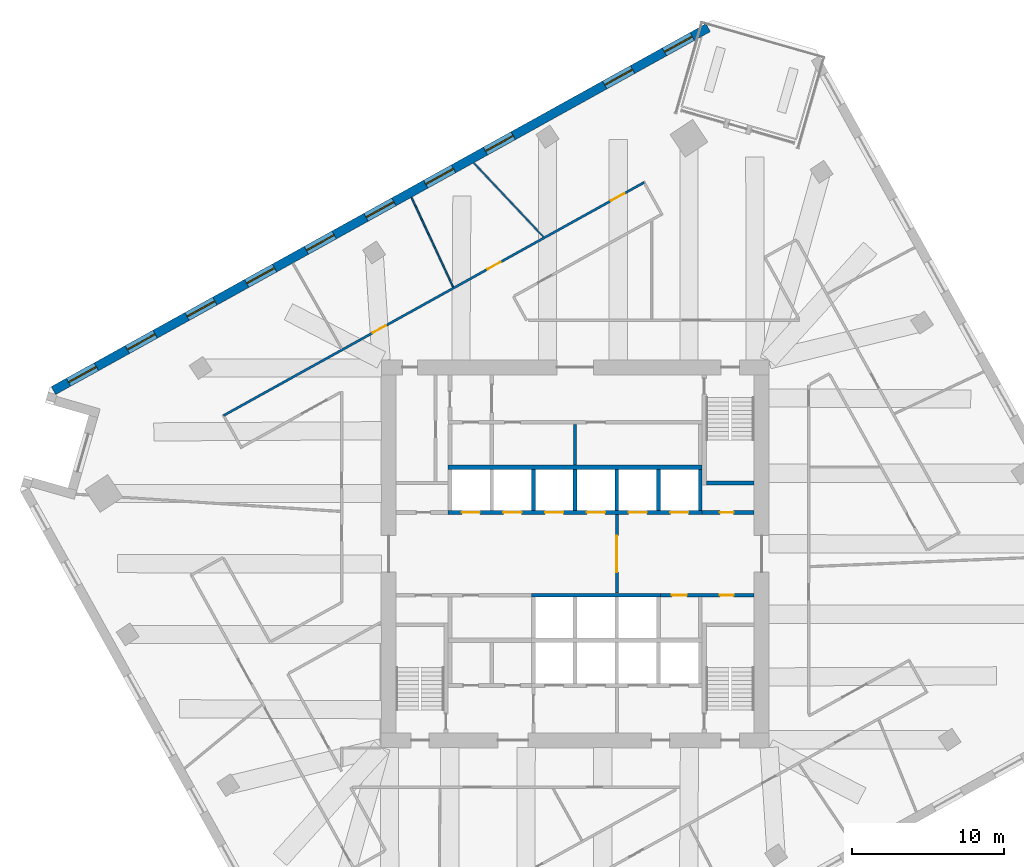
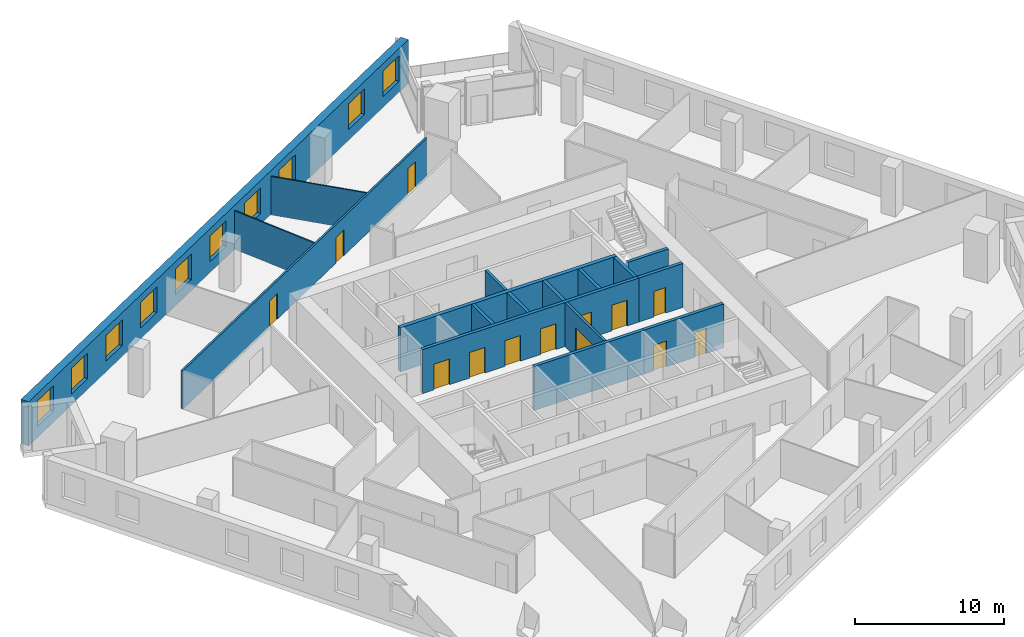
# One storey, part 7 of 11: 17 walls, 13 doors, 10 windows, 23 openings.
"""IFC4 building model written with IfcOpenShell, lengths in metres."""

from ifc_helpers import new_model, si_unit, direction, frame, frame_2d, origin, place, context, subcontext, project, spatial, rectangle, extrude, material, layer, layer_set, type_object, element, fill, save


model = new_model("IFC4")

# Units and contexts
model_context = context("Model", 3, precision=1e-05, world=origin(), true_north=direction((0.0, 1.0)))
body_context = subcontext(model_context, "Body", "Model", "MODEL_VIEW")
ifc_project = project(units=[si_unit("LENGTHUNIT", "METRE"), si_unit("AREAUNIT", "SQUARE_METRE"), si_unit("VOLUMEUNIT", "CUBIC_METRE"), si_unit("PLANEANGLEUNIT", "RADIAN"), si_unit("MASSUNIT", "GRAM", prefix="KILO")], contexts=[model_context])

# Site, building, storey
site_placement = place(None, origin())
site = spatial("IfcSite", under=ifc_project, at=site_placement, CompositionType="ELEMENT")
building_placement = place(site_placement, origin())
building = spatial("IfcBuilding", under=site, at=building_placement, Name="Dilmun Exchange Tower", CompositionType="ELEMENT")
storey_placement = place(building_placement, frame((0.0, 0.0, 135.699951171875)))
storey = spatial("IfcBuildingStorey", under=building, at=storey_placement, Name="L31", CompositionType="ELEMENT", Elevation=135.699951171875)

# Wall, opening, door
ifc_material_1 = material(Name="Concrete C40/50", Category="concrete")
ifc_layer_1 = layer(ifc_material_1, 0.199951171875)
ifc_layer_set_1 = layer_set([ifc_layer_1], Name="Concrete C40/50")
wall_type_1 = type_object("IfcWallType", Name="Core partition wall 200", PredefinedType="PARTITIONING", material=ifc_layer_set_1)
wall_1_placement = place(storey_placement, frame((2.75, -2.594970703125, 0.0), z_axis=(0.0, 0.0, 1.0), x_axis=(0.0, 1.0, 0.0)))
wall_1 = element("IfcWall", 1, at=wall_1_placement, inside=storey, type_object=wall_type_1, Name="L31 core partition wall 11", PredefinedType="PARTITIONING", context=body_context, shape_type="SweptSolid", body=[
    extrude(rectangle(XDim=5.18994140625, YDim=0.199951171875, at=frame_2d((2.594970703125, 0.0))), origin(), (0.0, 0.0, 1.0), 3.60009765625),
])
opening_1_placement = place(wall_1_placement, frame((1.39501953125, 0.0, 0.0)))
opening_1 = element("IfcOpeningElement", 2, at=opening_1_placement, cuts=wall_1, Name="Opening CD1", PredefinedType="OPENING", context=body_context, shape_type="SweptSolid", body=[
    extrude(rectangle(XDim=2.39990234375, YDim=2.39990234375, at=frame_2d((1.199951171875, 1.199951171875))), frame((0.0, 0.10986328125, 0.0), z_axis=(0.0, -1.0, 0.0), x_axis=(1.0, 0.0, 0.0)), (0.0, 0.0, 1.0), 0.219970703125),
])
ifc_material_2 = material(Name="Fire-rated steel door set", Category="steel")
door_type_1 = type_object("IfcDoorType", Name="Core lobby door 2400x2400", OperationType="DOUBLE_DOOR_DOUBLE_SWING", PredefinedType="DOOR", material=ifc_material_2)
door_1_placement = place(opening_1_placement, origin())
door_1 = element("IfcDoor", 3, at=door_1_placement, inside=storey, type_object=door_type_1, Name="L31 door Lift lobby east", OperationType="DOUBLE_DOOR_DOUBLE_SWING", OverallHeight=2.39990234375, OverallWidth=2.39990234375, PredefinedType="DOOR", context=body_context, shape_type="SweptSolid", body=[
    extrude(rectangle(XDim=2.39990234375, YDim=2.39990234375, at=frame_2d((1.199951171875, 1.199951171875))), frame((0.0, 0.02490234375, 0.0), z_axis=(0.0, -1.0, 0.0), x_axis=(1.0, 0.0, 0.0)), (0.0, 0.0, 1.0), 0.050048828125),
])
fill(opening_1, door_1)

# Wall
wall_2_placement = place(storey_placement, frame((0.0, 5.85498046875, 0.0), z_axis=(0.0, 0.0, 1.0), x_axis=(0.0, 1.0, 0.0)))
element("IfcWall", 4, at=wall_2_placement, inside=storey, type_object=wall_type_1, Name="L31 core partition wall 18", PredefinedType="PARTITIONING", context=body_context, shape_type="SweptSolid", body=[
    extrude(rectangle(XDim=2.68994140625, YDim=0.199951171875, at=frame_2d((1.344970703125, 0.0))), origin(), (0.0, 0.0, 1.0), 3.60009765625),
])

# Wall, openings, doors
ifc_layer_2 = layer(ifc_material_1, 0.25)
ifc_layer_set_2 = layer_set([ifc_layer_2], Name="Concrete C40/50")
wall_type_2 = type_object("IfcWallType", Name="Core partition wall 250", PredefinedType="PARTITIONING", material=ifc_layer_set_2)
wall_3_placement = place(storey_placement, frame((5.6298828125, -2.72509765625, 0.0), z_axis=(0.0, 0.0, 1.0), x_axis=(1.0, 0.0, 0.0)))
wall_3 = element("IfcWall", 5, at=wall_3_placement, inside=storey, type_object=wall_type_2, Name="L31 core partition wall 10", PredefinedType="PARTITIONING", context=body_context, shape_type="SweptSolid", body=[
    extrude(rectangle(XDim=6.1650390625, YDim=0.25, at=frame_2d((3.08251953125, 0.0))), origin(), (0.0, 0.0, 1.0), 3.60009765625),
])
opening_2_placement = place(wall_3_placement, frame((0.7451171875, 0.0, 0.0)))
opening_2 = element("IfcOpeningElement", 6, at=opening_2_placement, cuts=wall_3, Name="Opening CD4", PredefinedType="OPENING", context=body_context, shape_type="SweptSolid", body=[
    extrude(rectangle(XDim=1.0, YDim=2.10009765625, at=frame_2d((0.5, 1.050048828125))), frame((0.0, 0.135009765625, 0.0), z_axis=(0.0, -1.0, 0.0), x_axis=(1.0, 0.0, 0.0)), (0.0, 0.0, 1.0), 0.27001953125),
])
opening_3_placement = place(wall_3_placement, frame((3.919921875, 0.0, 0.0)))
opening_3 = element("IfcOpeningElement", 7, at=opening_3_placement, cuts=wall_3, Name="Opening CD6", PredefinedType="OPENING", context=body_context, shape_type="SweptSolid", body=[
    extrude(rectangle(XDim=0.89990234375, YDim=2.10009765625, at=frame_2d((0.449951171875, 1.050048828125))), frame((0.0, 0.135009765625, 0.0), z_axis=(0.0, -1.0, 0.0), x_axis=(1.0, 0.0, 0.0)), (0.0, 0.0, 1.0), 0.27001953125),
])
door_type_2 = type_object("IfcDoorType", Name="Core room door 1000x2100", OperationType="SINGLE_SWING_LEFT", PredefinedType="DOOR", material=ifc_material_2)
door_2_placement = place(opening_2_placement, origin())
door_2 = element("IfcDoor", 8, at=door_2_placement, inside=storey, type_object=door_type_2, Name="L31 door Cleaners' store", OperationType="SINGLE_SWING_RIGHT", OverallHeight=2.10009765625, OverallWidth=1.0, PredefinedType="DOOR", context=body_context, shape_type="SweptSolid", body=[
    extrude(rectangle(XDim=1.0, YDim=2.10009765625, at=frame_2d((0.5, 1.050048828125))), frame((0.0, 0.02490234375, 0.0), z_axis=(0.0, -1.0, 0.0), x_axis=(1.0, 0.0, 0.0)), (0.0, 0.0, 1.0), 0.050048828125),
])
fill(opening_2, door_2)
door_type_3 = type_object("IfcDoorType", Name="Core room door 900x2100", OperationType="SINGLE_SWING_LEFT", PredefinedType="DOOR", material=ifc_material_2)
door_3_placement = place(opening_3_placement, origin())
door_3 = element("IfcDoor", 9, at=door_3_placement, inside=storey, type_object=door_type_3, Name="L31 door Comms riser", OperationType="SINGLE_SWING_RIGHT", OverallHeight=2.10009765625, OverallWidth=0.89990234375, PredefinedType="DOOR", context=body_context, shape_type="SweptSolid", body=[
    extrude(rectangle(XDim=0.89990234375, YDim=2.10009765625, at=frame_2d((0.449951171875, 1.050048828125))), frame((0.0, 0.02490234375, 0.0), z_axis=(0.0, -1.0, 0.0), x_axis=(1.0, 0.0, 0.0)), (0.0, 0.0, 1.0), 0.050048828125),
])
fill(opening_3, door_3)

# Wall, opening, door
wall_4_placement = place(storey_placement, frame((8.3798828125, 2.72509765625, 0.0), z_axis=(0.0, 0.0, 1.0), x_axis=(1.0, 0.0, 0.0)))
wall_4 = element("IfcWall", 10, at=wall_4_placement, inside=storey, type_object=wall_type_2, Name="L31 core partition wall 13", PredefinedType="PARTITIONING", context=body_context, shape_type="SweptSolid", body=[
    extrude(rectangle(XDim=3.4150390625, YDim=0.25, at=frame_2d((1.70751953125, 0.0))), origin(), (0.0, 0.0, 1.0), 3.60009765625),
])
opening_4_placement = place(wall_4_placement, frame((1.169921875, 0.0, 0.0)))
opening_4 = element("IfcOpeningElement", 11, at=opening_4_placement, cuts=wall_4, Name="Opening CD6", PredefinedType="OPENING", context=body_context, shape_type="SweptSolid", body=[
    extrude(rectangle(XDim=0.89990234375, YDim=2.10009765625, at=frame_2d((0.449951171875, 1.050048828125))), frame((0.0, 0.135009765625, 0.0), z_axis=(0.0, -1.0, 0.0), x_axis=(1.0, 0.0, 0.0)), (0.0, 0.0, 1.0), 0.27001953125),
])
door_4_placement = place(opening_4_placement, origin())
door_4 = element("IfcDoor", 12, at=door_4_placement, inside=storey, type_object=door_type_3, Name="L31 door Electrical riser", OperationType="SINGLE_SWING_RIGHT", OverallHeight=2.10009765625, OverallWidth=0.89990234375, PredefinedType="DOOR", context=body_context, shape_type="SweptSolid", body=[
    extrude(rectangle(XDim=0.89990234375, YDim=2.10009765625, at=frame_2d((0.449951171875, 1.050048828125))), frame((0.0, 0.02490234375, 0.0), z_axis=(0.0, -1.0, 0.0), x_axis=(1.0, 0.0, 0.0)), (0.0, 0.0, 1.0), 0.050048828125),
])
fill(opening_4, door_4)

# Wall, openings, doors
ifc_material_3 = material(Name="Corridor wall 150")
ifc_layer_3 = layer(ifc_material_3, 0.14990234375)
ifc_layer_set_3 = layer_set([ifc_layer_3], Name="Corridor wall 150")
wall_type_3 = type_object("IfcWallType", Name="Corridor wall 150", PredefinedType="PARTITIONING", material=ifc_layer_set_3)
wall_5_placement = place(storey_placement, frame((-23.18701171875, 9.123046875, 0.0), z_axis=(0.0, 0.0, 1.0), x_axis=(0.874618419846, 0.484811942578, 0.0)))
wall_5 = element("IfcWall", 13, at=wall_5_placement, inside=storey, type_object=wall_type_3, Name="Corridor wall", PredefinedType="PARTITIONING", context=body_context, shape_type="SweptSolid", body=[
    extrude(rectangle(XDim=31.71337890625, YDim=0.14990234375, at=frame_2d((15.856689453125, 0.0))), origin(), (0.0, 0.0, 1.0), 3.150146484375),
])
opening_5_placement = place(wall_5_placement, frame((11.25244140625, 0.0, 0.0)))
opening_5 = element("IfcOpeningElement", 14, at=opening_5_placement, cuts=wall_5, Name="Opening TF31-D08", PredefinedType="OPENING", context=body_context, shape_type="SweptSolid", body=[
    extrude(rectangle(XDim=1.0, YDim=2.10009765625, at=frame_2d((0.5, 1.050048828125))), frame((0.0, 0.0849609375, 0.0), z_axis=(0.0, -1.0, 0.0), x_axis=(1.0, 0.0, 0.0)), (0.0, 0.0, 1.0), 0.169921875),
])
opening_6_placement = place(wall_5_placement, frame((19.8955078125, 0.0, 0.0)))
opening_6 = element("IfcOpeningElement", 15, at=opening_6_placement, cuts=wall_5, Name="Opening TF31-D09", PredefinedType="OPENING", context=body_context, shape_type="SweptSolid", body=[
    extrude(rectangle(XDim=1.0, YDim=2.10009765625, at=frame_2d((0.5, 1.050048828125))), frame((0.0, 0.0849609375, 0.0), z_axis=(0.0, -1.0, 0.0), x_axis=(1.0, 0.0, 0.0)), (0.0, 0.0, 1.0), 0.169921875),
])
opening_7_placement = place(wall_5_placement, frame((29.222900390625, 0.0, 0.0)))
opening_7 = element("IfcOpeningElement", 16, at=opening_7_placement, cuts=wall_5, Name="Opening TF31-D16", PredefinedType="OPENING", context=body_context, shape_type="SweptSolid", body=[
    extrude(rectangle(XDim=1.0, YDim=2.10009765625, at=frame_2d((0.5, 1.050048828125))), frame((0.0, 0.0849609375, 0.0), z_axis=(0.0, -1.0, 0.0), x_axis=(1.0, 0.0, 0.0)), (0.0, 0.0, 1.0), 0.169921875),
])
ifc_material_4 = material(Name="Fire door 1000 x 2100")
door_type_4 = type_object("IfcDoorType", Name="Fire door 1000 x 2100", OperationType="NOTDEFINED", PredefinedType="DOOR", material=ifc_material_4)
door_5_placement = place(opening_5_placement, origin())
door_5 = element("IfcDoor", 17, at=door_5_placement, inside=storey, type_object=door_type_4, Name="Door TF31-D08", OperationType="SINGLE_SWING_RIGHT", OverallHeight=2.10009765625, OverallWidth=1.0, PredefinedType="DOOR", context=body_context, shape_type="SweptSolid", body=[
    extrude(rectangle(XDim=1.0, YDim=2.10009765625, at=frame_2d((0.5, 1.050048828125))), frame((0.0, 0.02490234375, 0.0), z_axis=(0.0, -1.0, 0.0), x_axis=(1.0, 0.0, 0.0)), (0.0, 0.0, 1.0), 0.050048828125),
])
fill(opening_5, door_5)
door_6_placement = place(opening_6_placement, origin())
door_6 = element("IfcDoor", 18, at=door_6_placement, inside=storey, type_object=door_type_4, Name="Door TF31-D09", OperationType="SINGLE_SWING_LEFT", OverallHeight=2.10009765625, OverallWidth=1.0, PredefinedType="DOOR", context=body_context, shape_type="SweptSolid", body=[
    extrude(rectangle(XDim=1.0, YDim=2.10009765625, at=frame_2d((0.5, 1.050048828125))), frame((0.0, 0.02490234375, 0.0), z_axis=(0.0, -1.0, 0.0), x_axis=(1.0, 0.0, 0.0)), (0.0, 0.0, 1.0), 0.050048828125),
])
fill(opening_6, door_6)
door_7_placement = place(opening_7_placement, origin())
door_7 = element("IfcDoor", 19, at=door_7_placement, inside=storey, type_object=door_type_4, Name="Door TF31-D16", OperationType="SINGLE_SWING_LEFT", OverallHeight=2.10009765625, OverallWidth=1.0, PredefinedType="DOOR", context=body_context, shape_type="SweptSolid", body=[
    extrude(rectangle(XDim=1.0, YDim=2.10009765625, at=frame_2d((0.5, 1.050048828125))), frame((0.0, 0.02490234375, 0.0), z_axis=(0.0, -1.0, 0.0), x_axis=(1.0, 0.0, 0.0)), (0.0, 0.0, 1.0), 0.050048828125),
])
fill(opening_7, door_7)

# Wall
ifc_layer_4 = layer(ifc_material_1, 0.300048828125)
ifc_layer_set_4 = layer_set([ifc_layer_4], Name="Concrete C40/50")
wall_type_4 = type_object("IfcWallType", Name="Lift shaft shared wall 300", PredefinedType="SOLIDWALL", material=ifc_layer_set_4)
wall_6_placement = place(storey_placement, frame((-8.375, 5.699951171875, 0.0), z_axis=(0.0, 0.0, 1.0), x_axis=(1.0, 0.0, 0.0)))
element("IfcWall", 20, at=wall_6_placement, inside=storey, type_object=wall_type_4, Name="L31 lift shaft rear wall N", PredefinedType="SOLIDWALL", context=body_context, shape_type="SweptSolid", body=[
    extrude(rectangle(XDim=16.75, YDim=0.300048828125, at=frame_2d((8.375, 0.0))), origin(), (0.0, 0.0, 1.0), 3.60009765625),
])

# Wall, openings, doors
ifc_layer_5 = layer(ifc_material_1, 0.25)
ifc_layer_set_5 = layer_set([ifc_layer_5], Name="Concrete C40/50")
wall_type_5 = type_object("IfcWallType", Name="Lift shaft wall 250", PredefinedType="SOLIDWALL", material=ifc_layer_set_5)
wall_7_placement = place(storey_placement, frame((-8.375, 2.72509765625, 0.0), z_axis=(0.0, 0.0, 1.0), x_axis=(1.0, 0.0, 0.0)))
wall_7 = element("IfcWall", 21, at=wall_7_placement, inside=storey, type_object=wall_type_5, Name="L31 lift shaft front wall N1", PredefinedType="SOLIDWALL", context=body_context, shape_type="SweptSolid", body=[
    extrude(rectangle(XDim=16.75, YDim=0.25, at=frame_2d((8.375, 0.0))), origin(), (0.0, 0.0, 1.0), 3.60009765625),
])
opening_8_placement = place(wall_7_placement, frame((0.89990234375, 0.0, 0.0)))
opening_8 = element("IfcOpeningElement", 22, at=opening_8_placement, cuts=wall_7, Name="Opening LD", PredefinedType="OPENING", context=body_context, shape_type="SweptSolid", body=[
    extrude(rectangle(XDim=1.199951171875, YDim=2.10009765625, at=frame_2d((0.60009765625, 1.050048828125))), frame((0.0, 0.135009765625, 0.0), z_axis=(0.0, -1.0, 0.0), x_axis=(1.0, 0.0, 0.0)), (0.0, 0.0, 1.0), 0.27001953125),
])
opening_9_placement = place(wall_7_placement, frame((3.64990234375, 0.0, 0.0)))
opening_9 = element("IfcOpeningElement", 23, at=opening_9_placement, cuts=wall_7, Name="Opening LD", PredefinedType="OPENING", context=body_context, shape_type="SweptSolid", body=[
    extrude(rectangle(XDim=1.199951171875, YDim=2.10009765625, at=frame_2d((0.60009765625, 1.050048828125))), frame((0.0, 0.135009765625, 0.0), z_axis=(0.0, -1.0, 0.0), x_axis=(1.0, 0.0, 0.0)), (0.0, 0.0, 1.0), 0.27001953125),
])
opening_10_placement = place(wall_7_placement, frame((6.39990234375, 0.0, 0.0)))
opening_10 = element("IfcOpeningElement", 24, at=opening_10_placement, cuts=wall_7, Name="Opening LD", PredefinedType="OPENING", context=body_context, shape_type="SweptSolid", body=[
    extrude(rectangle(XDim=1.199951171875, YDim=2.10009765625, at=frame_2d((0.60009765625, 1.050048828125))), frame((0.0, 0.135009765625, 0.0), z_axis=(0.0, -1.0, 0.0), x_axis=(1.0, 0.0, 0.0)), (0.0, 0.0, 1.0), 0.27001953125),
])
opening_11_placement = place(wall_7_placement, frame((9.14990234375, 0.0, 0.0)))
opening_11 = element("IfcOpeningElement", 25, at=opening_11_placement, cuts=wall_7, Name="Opening LD", PredefinedType="OPENING", context=body_context, shape_type="SweptSolid", body=[
    extrude(rectangle(XDim=1.199951171875, YDim=2.10009765625, at=frame_2d((0.60009765625, 1.050048828125))), frame((0.0, 0.135009765625, 0.0), z_axis=(0.0, -1.0, 0.0), x_axis=(1.0, 0.0, 0.0)), (0.0, 0.0, 1.0), 0.27001953125),
])
opening_12_placement = place(wall_7_placement, frame((11.89990234375, 0.0, 0.0)))
opening_12 = element("IfcOpeningElement", 26, at=opening_12_placement, cuts=wall_7, Name="Opening LD", PredefinedType="OPENING", context=body_context, shape_type="SweptSolid", body=[
    extrude(rectangle(XDim=1.199951171875, YDim=2.10009765625, at=frame_2d((0.60009765625, 1.050048828125))), frame((0.0, 0.135009765625, 0.0), z_axis=(0.0, -1.0, 0.0), x_axis=(1.0, 0.0, 0.0)), (0.0, 0.0, 1.0), 0.27001953125),
])
opening_13_placement = place(wall_7_placement, frame((14.64990234375, 0.0, 0.0)))
opening_13 = element("IfcOpeningElement", 27, at=opening_13_placement, cuts=wall_7, Name="Opening LD", PredefinedType="OPENING", context=body_context, shape_type="SweptSolid", body=[
    extrude(rectangle(XDim=1.199951171875, YDim=2.10009765625, at=frame_2d((0.60009765625, 1.050048828125))), frame((0.0, 0.135009765625, 0.0), z_axis=(0.0, -1.0, 0.0), x_axis=(1.0, 0.0, 0.0)), (0.0, 0.0, 1.0), 0.27001953125),
])
door_type_5 = type_object("IfcDoorType", Name="Lift landing door 1200x2100", OperationType="DOUBLE_DOOR_SLIDING", PredefinedType="DOOR", material=ifc_material_2)
door_8_placement = place(opening_8_placement, origin())
door_8 = element("IfcDoor", 28, at=door_8_placement, inside=storey, type_object=door_type_5, Name="L31 landing door MR1", OperationType="DOUBLE_DOOR_SLIDING", OverallHeight=2.10009765625, OverallWidth=1.199951171875, PredefinedType="DOOR", context=body_context, shape_type="SweptSolid", body=[
    extrude(rectangle(XDim=1.199951171875, YDim=2.10009765625, at=frame_2d((0.60009765625, 1.050048828125))), frame((0.0, 0.02490234375, 0.0), z_axis=(0.0, -1.0, 0.0), x_axis=(1.0, 0.0, 0.0)), (0.0, 0.0, 1.0), 0.050048828125),
])
fill(opening_8, door_8)
door_9_placement = place(opening_9_placement, origin())
door_9 = element("IfcDoor", 29, at=door_9_placement, inside=storey, type_object=door_type_5, Name="L31 landing door MR2", OperationType="DOUBLE_DOOR_SLIDING", OverallHeight=2.10009765625, OverallWidth=1.199951171875, PredefinedType="DOOR", context=body_context, shape_type="SweptSolid", body=[
    extrude(rectangle(XDim=1.199951171875, YDim=2.10009765625, at=frame_2d((0.60009765625, 1.050048828125))), frame((0.0, 0.02490234375, 0.0), z_axis=(0.0, -1.0, 0.0), x_axis=(1.0, 0.0, 0.0)), (0.0, 0.0, 1.0), 0.050048828125),
])
fill(opening_9, door_9)
door_10_placement = place(opening_10_placement, origin())
door_10 = element("IfcDoor", 30, at=door_10_placement, inside=storey, type_object=door_type_5, Name="L31 landing door MR3", OperationType="DOUBLE_DOOR_SLIDING", OverallHeight=2.10009765625, OverallWidth=1.199951171875, PredefinedType="DOOR", context=body_context, shape_type="SweptSolid", body=[
    extrude(rectangle(XDim=1.199951171875, YDim=2.10009765625, at=frame_2d((0.60009765625, 1.050048828125))), frame((0.0, 0.02490234375, 0.0), z_axis=(0.0, -1.0, 0.0), x_axis=(1.0, 0.0, 0.0)), (0.0, 0.0, 1.0), 0.050048828125),
])
fill(opening_10, door_10)
door_11_placement = place(opening_11_placement, origin())
door_11 = element("IfcDoor", 31, at=door_11_placement, inside=storey, type_object=door_type_5, Name="L31 landing door MR4", OperationType="DOUBLE_DOOR_SLIDING", OverallHeight=2.10009765625, OverallWidth=1.199951171875, PredefinedType="DOOR", context=body_context, shape_type="SweptSolid", body=[
    extrude(rectangle(XDim=1.199951171875, YDim=2.10009765625, at=frame_2d((0.60009765625, 1.050048828125))), frame((0.0, 0.02490234375, 0.0), z_axis=(0.0, -1.0, 0.0), x_axis=(1.0, 0.0, 0.0)), (0.0, 0.0, 1.0), 0.050048828125),
])
fill(opening_11, door_11)
door_12_placement = place(opening_12_placement, origin())
door_12 = element("IfcDoor", 32, at=door_12_placement, inside=storey, type_object=door_type_5, Name="L31 landing door MR5", OperationType="DOUBLE_DOOR_SLIDING", OverallHeight=2.10009765625, OverallWidth=1.199951171875, PredefinedType="DOOR", context=body_context, shape_type="SweptSolid", body=[
    extrude(rectangle(XDim=1.199951171875, YDim=2.10009765625, at=frame_2d((0.60009765625, 1.050048828125))), frame((0.0, 0.02490234375, 0.0), z_axis=(0.0, -1.0, 0.0), x_axis=(1.0, 0.0, 0.0)), (0.0, 0.0, 1.0), 0.050048828125),
])
fill(opening_12, door_12)
door_13_placement = place(opening_13_placement, origin())
door_13 = element("IfcDoor", 33, at=door_13_placement, inside=storey, type_object=door_type_5, Name="L31 landing door MR6", OperationType="DOUBLE_DOOR_SLIDING", OverallHeight=2.10009765625, OverallWidth=1.199951171875, PredefinedType="DOOR", context=body_context, shape_type="SweptSolid", body=[
    extrude(rectangle(XDim=1.199951171875, YDim=2.10009765625, at=frame_2d((0.60009765625, 1.050048828125))), frame((0.0, 0.02490234375, 0.0), z_axis=(0.0, -1.0, 0.0), x_axis=(1.0, 0.0, 0.0)), (0.0, 0.0, 1.0), 0.050048828125),
])
fill(opening_13, door_13)

# Walls
for number, where, z_axis, x_axis, name in (
    (34, (-2.75, 2.85009765625, 0.0), (0.0, 0.0, 1.0), (0.0, 1.0, 0.0), "L31 lift shaft divider N12"),
    (35, (0.0, 2.85009765625, 0.0), (0.0, 0.0, 1.0), (0.0, 1.0, 0.0), "L31 lift shaft divider N13"),
    (36, (2.75, 2.85009765625, 0.0), (0.0, 0.0, 1.0), (0.0, 1.0, 0.0), "L31 lift shaft divider N14"),
    (37, (5.5, 2.85009765625, 0.0), (0.0, 0.0, 1.0), (0.0, 1.0, 0.0), "L31 lift shaft divider N15"),
    (38, (8.25, 2.85009765625, 0.0), (0.0, 0.0, 1.0), (0.0, 1.0, 0.0), "L31 lift shaft divider N16"),
):
    element("IfcWall", number, at=place(storey_placement, frame(where, z_axis=z_axis, x_axis=x_axis)), inside=storey, type_object=wall_type_5, Name=name, PredefinedType="SOLIDWALL", context=body_context, shape_type="SweptSolid", body=[
        extrude(rectangle(XDim=2.699951171875, YDim=0.25, at=frame_2d((1.35009765625, 0.0))), origin(), (0.0, 0.0, 1.0), 3.60009765625),
    ])
wall_8_placement = place(storey_placement, frame((-2.875, -2.72509765625, 0.0), z_axis=(0.0, 0.0, 1.0), x_axis=(1.0, 0.0, 0.0)))
element("IfcWall", 39, at=wall_8_placement, inside=storey, type_object=wall_type_5, Name="L31 lift shaft front wall S1", PredefinedType="SOLIDWALL", context=body_context, shape_type="SweptSolid", body=[
    extrude(rectangle(XDim=8.5, YDim=0.25, at=frame_2d((4.25, 0.0))), origin(), (0.0, 0.0, 1.0), 3.60009765625),
])
ifc_material_5 = material(Name="Partition 100")
ifc_layer_6 = layer(ifc_material_5, 0.10009765625)
ifc_layer_set_6 = layer_set([ifc_layer_6], Name="Partition 100")
wall_type_6 = type_object("IfcWallType", Name="Partition 100", PredefinedType="PARTITIONING", material=ifc_layer_set_6)
wall_9_placement = place(storey_placement, frame((-10.794677734375, 23.5126953125, 0.0), z_axis=(0.0, 0.0, 1.0), x_axis=(0.42134027537, -0.906902625617, 0.0)))
element("IfcWall", 40, at=wall_9_placement, inside=storey, type_object=wall_type_6, Name="Partition", PredefinedType="PARTITIONING", context=body_context, shape_type="SweptSolid", body=[
    extrude(rectangle(XDim=6.515869140625, YDim=0.10009765625, at=frame_2d((3.2578125, 0.0))), origin(), (0.0, 0.0, 1.0), 3.150146484375),
])
wall_10_placement = place(storey_placement, frame((-6.690673828125, 25.78759765625, 0.0), z_axis=(0.0, 0.0, 1.0), x_axis=(0.685723912774, -0.727861741988, 0.0)))
element("IfcWall", 41, at=wall_10_placement, inside=storey, type_object=wall_type_6, Name="Partition", PredefinedType="PARTITIONING", context=body_context, shape_type="SweptSolid", body=[
    extrude(rectangle(XDim=6.69775390625, YDim=0.10009765625, at=frame_2d((3.348876953125, 0.0))), origin(), (0.0, 0.0, 1.0), 3.150146484375),
])

# Wall, openings, windows
ifc_material_6 = material(Name="Precast concrete C50/60", Category="concrete")
ifc_layer_7 = layer(ifc_material_6, 0.60009765625)
ifc_layer_set_7 = layer_set([ifc_layer_7], Name="Precast concrete C50/60")
wall_type_7 = type_object("IfcWallType", Name="Precast stone-clad wall 600", PredefinedType="STANDARD", material=ifc_layer_set_7)
wall_11_placement = place(storey_placement, frame((8.774658203125, 34.705322265625, 0.0), z_axis=(0.0, 0.0, 1.0), x_axis=(-0.874620778241, -0.484807687922, 0.0)))
wall_11 = element("IfcWall", 42, at=wall_11_placement, inside=storey, type_object=wall_type_7, Name="Facade wall L31-03", PredefinedType="STANDARD", context=body_context, shape_type="SweptSolid", body=[
    extrude(rectangle(XDim=49.375732421875, YDim=0.60009765625, at=frame_2d((24.68798828125, 0.0))), origin(), (0.0, 0.0, 1.0), 3.60009765625),
])
opening_14_placement = place(wall_11_placement, frame((1.199951171875, 0.0, 0.89990234375)))
opening_14 = element("IfcOpeningElement", 43, at=opening_14_placement, cuts=wall_11, Name="Opening W210-210", PredefinedType="OPENING", context=body_context, shape_type="SweptSolid", body=[
    extrude(rectangle(XDim=2.10009765625, YDim=2.10009765625, at=frame_2d((1.050048828125, 1.050048828125))), frame((0.0, 0.31005859375, 0.0), z_axis=(0.0, -1.0, 0.0), x_axis=(1.0, 0.0, 0.0)), (0.0, 0.0, 1.0), 0.6201171875),
])
opening_15_placement = place(wall_11_placement, frame((5.699951171875, 0.0, 0.89990234375)))
opening_15 = element("IfcOpeningElement", 44, at=opening_15_placement, cuts=wall_11, Name="Opening W210-210", PredefinedType="OPENING", context=body_context, shape_type="SweptSolid", body=[
    extrude(rectangle(XDim=2.10009765625, YDim=2.10009765625, at=frame_2d((1.050048828125, 1.050048828125))), frame((0.0, 0.31005859375, 0.0), z_axis=(0.0, -1.0, 0.0), x_axis=(1.0, 0.0, 0.0)), (0.0, 0.0, 1.0), 0.6201171875),
])
opening_16_placement = place(wall_11_placement, frame((14.699951171875, 0.0, 0.89990234375)))
opening_16 = element("IfcOpeningElement", 45, at=opening_16_placement, cuts=wall_11, Name="Opening W210-210", PredefinedType="OPENING", context=body_context, shape_type="SweptSolid", body=[
    extrude(rectangle(XDim=2.10009765625, YDim=2.10009765625, at=frame_2d((1.050048828125, 1.050048828125))), frame((0.0, 0.31005859375, 0.0), z_axis=(0.0, -1.0, 0.0), x_axis=(1.0, 0.0, 0.0)), (0.0, 0.0, 1.0), 0.6201171875),
])
opening_17_placement = place(wall_11_placement, frame((19.199951171875, 0.0, 0.89990234375)))
opening_17 = element("IfcOpeningElement", 46, at=opening_17_placement, cuts=wall_11, Name="Opening W210-210", PredefinedType="OPENING", context=body_context, shape_type="SweptSolid", body=[
    extrude(rectangle(XDim=2.10009765625, YDim=2.10009765625, at=frame_2d((1.050048828125, 1.050048828125))), frame((0.0, 0.31005859375, 0.0), z_axis=(0.0, -1.0, 0.0), x_axis=(1.0, 0.0, 0.0)), (0.0, 0.0, 1.0), 0.6201171875),
])
opening_18_placement = place(wall_11_placement, frame((23.699951171875, 0.0, 0.89990234375)))
opening_18 = element("IfcOpeningElement", 47, at=opening_18_placement, cuts=wall_11, Name="Opening W210-210", PredefinedType="OPENING", context=body_context, shape_type="SweptSolid", body=[
    extrude(rectangle(XDim=2.10009765625, YDim=2.10009765625, at=frame_2d((1.050048828125, 1.050048828125))), frame((0.0, 0.31005859375, 0.0), z_axis=(0.0, -1.0, 0.0), x_axis=(1.0, 0.0, 0.0)), (0.0, 0.0, 1.0), 0.6201171875),
])
opening_19_placement = place(wall_11_placement, frame((28.199951171875, 0.0, 0.89990234375)))
opening_19 = element("IfcOpeningElement", 48, at=opening_19_placement, cuts=wall_11, Name="Opening W210-210", PredefinedType="OPENING", context=body_context, shape_type="SweptSolid", body=[
    extrude(rectangle(XDim=2.10009765625, YDim=2.10009765625, at=frame_2d((1.050048828125, 1.050048828125))), frame((0.0, 0.31005859375, 0.0), z_axis=(0.0, -1.0, 0.0), x_axis=(1.0, 0.0, 0.0)), (0.0, 0.0, 1.0), 0.6201171875),
])
opening_20_placement = place(wall_11_placement, frame((32.699951171875, 0.0, 0.89990234375)))
opening_20 = element("IfcOpeningElement", 49, at=opening_20_placement, cuts=wall_11, Name="Opening W210-210", PredefinedType="OPENING", context=body_context, shape_type="SweptSolid", body=[
    extrude(rectangle(XDim=2.10009765625, YDim=2.10009765625, at=frame_2d((1.050048828125, 1.050048828125))), frame((0.0, 0.31005859375, 0.0), z_axis=(0.0, -1.0, 0.0), x_axis=(1.0, 0.0, 0.0)), (0.0, 0.0, 1.0), 0.6201171875),
])
opening_21_placement = place(wall_11_placement, frame((37.199951171875, 0.0, 0.89990234375)))
opening_21 = element("IfcOpeningElement", 50, at=opening_21_placement, cuts=wall_11, Name="Opening W210-210", PredefinedType="OPENING", context=body_context, shape_type="SweptSolid", body=[
    extrude(rectangle(XDim=2.10009765625, YDim=2.10009765625, at=frame_2d((1.050048828125, 1.050048828125))), frame((0.0, 0.31005859375, 0.0), z_axis=(0.0, -1.0, 0.0), x_axis=(1.0, 0.0, 0.0)), (0.0, 0.0, 1.0), 0.6201171875),
])
opening_22_placement = place(wall_11_placement, frame((41.699951171875, 0.0, 0.89990234375)))
opening_22 = element("IfcOpeningElement", 51, at=opening_22_placement, cuts=wall_11, Name="Opening W210-210", PredefinedType="OPENING", context=body_context, shape_type="SweptSolid", body=[
    extrude(rectangle(XDim=2.10009765625, YDim=2.10009765625, at=frame_2d((1.050048828125, 1.050048828125))), frame((0.0, 0.31005859375, 0.0), z_axis=(0.0, -1.0, 0.0), x_axis=(1.0, 0.0, 0.0)), (0.0, 0.0, 1.0), 0.6201171875),
])
opening_23_placement = place(wall_11_placement, frame((46.137939453125, 0.0, 0.89990234375)))
opening_23 = element("IfcOpeningElement", 52, at=opening_23_placement, cuts=wall_11, Name="Opening W210-210", PredefinedType="OPENING", context=body_context, shape_type="SweptSolid", body=[
    extrude(rectangle(XDim=2.10009765625, YDim=2.10009765625, at=frame_2d((1.050048828125, 1.050048828125))), frame((0.0, 0.31005859375, 0.0), z_axis=(0.0, -1.0, 0.0), x_axis=(1.0, 0.0, 0.0)), (0.0, 0.0, 1.0), 0.6201171875),
])
ifc_material_7 = material(Name="Clear low-emissivity glass in aluminium frame", Category="aluminium")
window_type = type_object("IfcWindowType", Name="Punched window 2100 x 2100", PartitioningType="DOUBLE_PANEL_VERTICAL", PredefinedType="WINDOW", material=ifc_material_7)
window_1_placement = place(opening_14_placement, origin())
window_1 = element("IfcWindow", 53, at=window_1_placement, inside=storey, type_object=window_type, Name="Window 4.1", OverallHeight=2.10009765625, OverallWidth=2.10009765625, PartitioningType="SINGLE_PANEL", PredefinedType="WINDOW", context=body_context, shape_type="SweptSolid", body=[
    extrude(rectangle(XDim=2.10009765625, YDim=2.10009765625, at=frame_2d((1.050048828125, 1.050048828125))), frame((0.0, 0.030029296875, 0.0), z_axis=(0.0, -1.0, 0.0), x_axis=(1.0, 0.0, 0.0)), (0.0, 0.0, 1.0), 0.06005859375),
])
fill(opening_14, window_1)
window_2_placement = place(opening_15_placement, origin())
window_2 = element("IfcWindow", 54, at=window_2_placement, inside=storey, type_object=window_type, Name="Window 4.2", OverallHeight=2.10009765625, OverallWidth=2.10009765625, PartitioningType="SINGLE_PANEL", PredefinedType="WINDOW", context=body_context, shape_type="SweptSolid", body=[
    extrude(rectangle(XDim=2.10009765625, YDim=2.10009765625, at=frame_2d((1.050048828125, 1.050048828125))), frame((0.0, 0.030029296875, 0.0), z_axis=(0.0, -1.0, 0.0), x_axis=(1.0, 0.0, 0.0)), (0.0, 0.0, 1.0), 0.06005859375),
])
fill(opening_15, window_2)
window_3_placement = place(opening_16_placement, origin())
window_3 = element("IfcWindow", 55, at=window_3_placement, inside=storey, type_object=window_type, Name="Window 4.4", OverallHeight=2.10009765625, OverallWidth=2.10009765625, PartitioningType="SINGLE_PANEL", PredefinedType="WINDOW", context=body_context, shape_type="SweptSolid", body=[
    extrude(rectangle(XDim=2.10009765625, YDim=2.10009765625, at=frame_2d((1.050048828125, 1.050048828125))), frame((0.0, 0.030029296875, 0.0), z_axis=(0.0, -1.0, 0.0), x_axis=(1.0, 0.0, 0.0)), (0.0, 0.0, 1.0), 0.06005859375),
])
fill(opening_16, window_3)
window_4_placement = place(opening_17_placement, origin())
window_4 = element("IfcWindow", 56, at=window_4_placement, inside=storey, type_object=window_type, Name="Window 4.5", OverallHeight=2.10009765625, OverallWidth=2.10009765625, PartitioningType="SINGLE_PANEL", PredefinedType="WINDOW", context=body_context, shape_type="SweptSolid", body=[
    extrude(rectangle(XDim=2.10009765625, YDim=2.10009765625, at=frame_2d((1.050048828125, 1.050048828125))), frame((0.0, 0.030029296875, 0.0), z_axis=(0.0, -1.0, 0.0), x_axis=(1.0, 0.0, 0.0)), (0.0, 0.0, 1.0), 0.06005859375),
])
fill(opening_17, window_4)
window_5_placement = place(opening_18_placement, origin())
window_5 = element("IfcWindow", 57, at=window_5_placement, inside=storey, type_object=window_type, Name="Window 4.6", OverallHeight=2.10009765625, OverallWidth=2.10009765625, PartitioningType="SINGLE_PANEL", PredefinedType="WINDOW", context=body_context, shape_type="SweptSolid", body=[
    extrude(rectangle(XDim=2.10009765625, YDim=2.10009765625, at=frame_2d((1.050048828125, 1.050048828125))), frame((0.0, 0.030029296875, 0.0), z_axis=(0.0, -1.0, 0.0), x_axis=(1.0, 0.0, 0.0)), (0.0, 0.0, 1.0), 0.06005859375),
])
fill(opening_18, window_5)
window_6_placement = place(opening_19_placement, origin())
window_6 = element("IfcWindow", 58, at=window_6_placement, inside=storey, type_object=window_type, Name="Window 4.7", OverallHeight=2.10009765625, OverallWidth=2.10009765625, PartitioningType="SINGLE_PANEL", PredefinedType="WINDOW", context=body_context, shape_type="SweptSolid", body=[
    extrude(rectangle(XDim=2.10009765625, YDim=2.10009765625, at=frame_2d((1.050048828125, 1.050048828125))), frame((0.0, 0.030029296875, 0.0), z_axis=(0.0, -1.0, 0.0), x_axis=(1.0, 0.0, 0.0)), (0.0, 0.0, 1.0), 0.06005859375),
])
fill(opening_19, window_6)
window_7_placement = place(opening_20_placement, origin())
window_7 = element("IfcWindow", 59, at=window_7_placement, inside=storey, type_object=window_type, Name="Window 4.8", OverallHeight=2.10009765625, OverallWidth=2.10009765625, PartitioningType="SINGLE_PANEL", PredefinedType="WINDOW", context=body_context, shape_type="SweptSolid", body=[
    extrude(rectangle(XDim=2.10009765625, YDim=2.10009765625, at=frame_2d((1.050048828125, 1.050048828125))), frame((0.0, 0.030029296875, 0.0), z_axis=(0.0, -1.0, 0.0), x_axis=(1.0, 0.0, 0.0)), (0.0, 0.0, 1.0), 0.06005859375),
])
fill(opening_20, window_7)
window_8_placement = place(opening_21_placement, origin())
window_8 = element("IfcWindow", 60, at=window_8_placement, inside=storey, type_object=window_type, Name="Window 4.9", OverallHeight=2.10009765625, OverallWidth=2.10009765625, PartitioningType="SINGLE_PANEL", PredefinedType="WINDOW", context=body_context, shape_type="SweptSolid", body=[
    extrude(rectangle(XDim=2.10009765625, YDim=2.10009765625, at=frame_2d((1.050048828125, 1.050048828125))), frame((0.0, 0.030029296875, 0.0), z_axis=(0.0, -1.0, 0.0), x_axis=(1.0, 0.0, 0.0)), (0.0, 0.0, 1.0), 0.06005859375),
])
fill(opening_21, window_8)
window_9_placement = place(opening_22_placement, origin())
window_9 = element("IfcWindow", 61, at=window_9_placement, inside=storey, type_object=window_type, Name="Window 4.10", OverallHeight=2.10009765625, OverallWidth=2.10009765625, PartitioningType="SINGLE_PANEL", PredefinedType="WINDOW", context=body_context, shape_type="SweptSolid", body=[
    extrude(rectangle(XDim=2.10009765625, YDim=2.10009765625, at=frame_2d((1.050048828125, 1.050048828125))), frame((0.0, 0.030029296875, 0.0), z_axis=(0.0, -1.0, 0.0), x_axis=(1.0, 0.0, 0.0)), (0.0, 0.0, 1.0), 0.06005859375),
])
fill(opening_22, window_9)
window_10_placement = place(opening_23_placement, origin())
window_10 = element("IfcWindow", 62, at=window_10_placement, inside=storey, type_object=window_type, Name="Window 4.11", OverallHeight=2.10009765625, OverallWidth=2.10009765625, PartitioningType="SINGLE_PANEL", PredefinedType="WINDOW", context=body_context, shape_type="SweptSolid", body=[
    extrude(rectangle(XDim=2.10009765625, YDim=2.10009765625, at=frame_2d((1.050048828125, 1.050048828125))), frame((0.0, 0.030029296875, 0.0), z_axis=(0.0, -1.0, 0.0), x_axis=(1.0, 0.0, 0.0)), (0.0, 0.0, 1.0), 0.06005859375),
])
fill(opening_23, window_10)

# Wall
ifc_layer_8 = layer(ifc_material_1, 0.25)
ifc_layer_set_8 = layer_set([ifc_layer_8], Name="Concrete C40/50")
wall_type_8 = type_object("IfcWallType", Name="Stair end wall 250", PredefinedType="SOLIDWALL", material=ifc_layer_set_8)
wall_12_placement = place(storey_placement, frame((8.64990234375, 4.675048828125, 0.0), z_axis=(0.0, 0.0, 1.0), x_axis=(1.0, 0.0, 0.0)))
element("IfcWall", 63, at=wall_12_placement, inside=storey, type_object=wall_type_8, Name="L31 ST1 far wall", PredefinedType="SOLIDWALL", context=body_context, shape_type="SweptSolid", body=[
    extrude(rectangle(XDim=3.150146484375, YDim=0.25, at=frame_2d((1.5751953125, 0.0))), origin(), (0.0, 0.0, 1.0), 3.60009765625),
])

save(model, "model.ifc")
